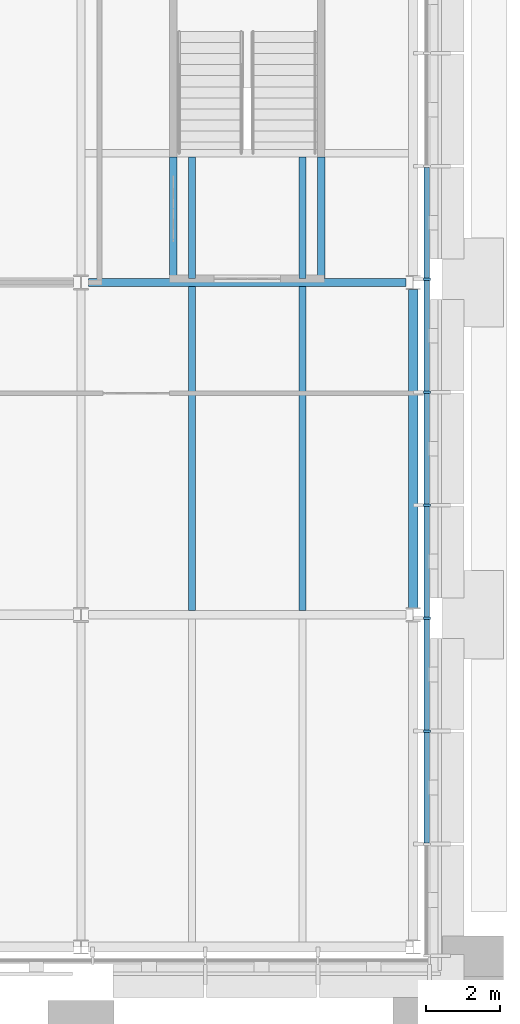
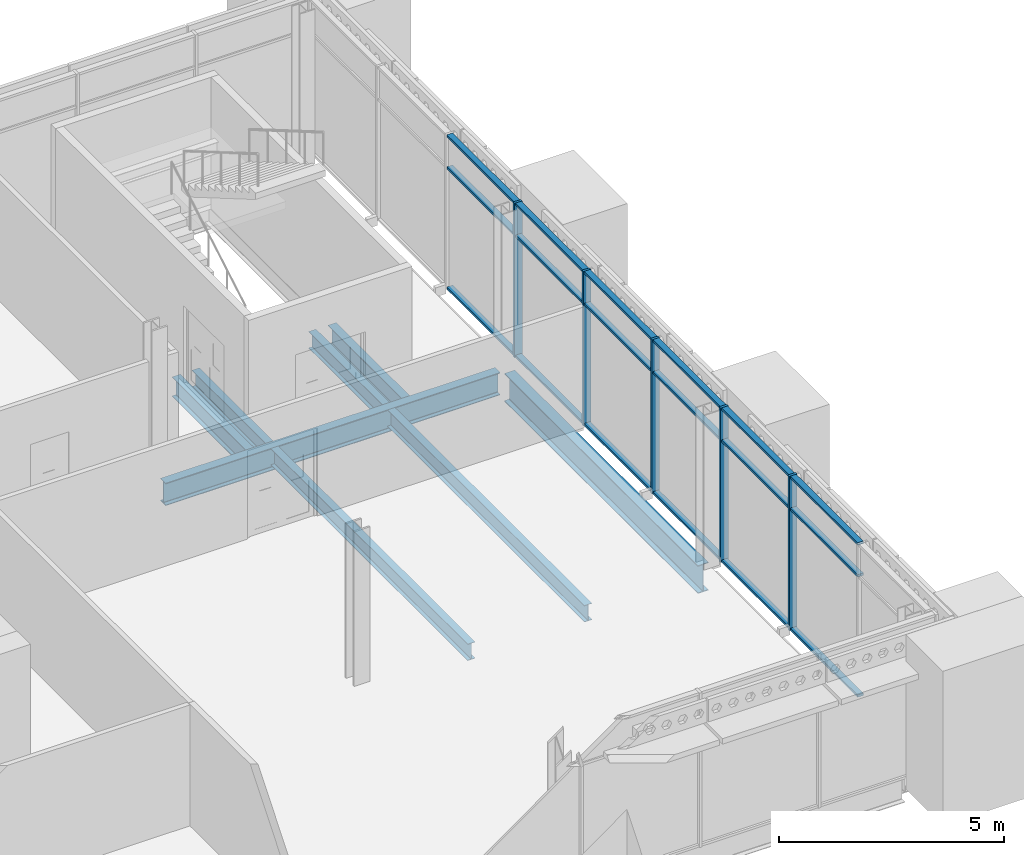
# One storey, part 37 of 153: 23 members, 8 beams, 1 element without a shape of its own.
"""IFC4 building model written with IfcOpenShell, lengths in metres."""

from ifc_helpers import new_model, si_unit, direction, frame, origin, origin_2d, place, context, subcontext, project, spatial, rectangle, i_section, extrude, material, material_profile, profile_set, type_object, element, aggregate, save


model = new_model("IFC4")

# Units and contexts
model_context = context("Model", 3, precision=1e-05, world=origin(), true_north=direction((0.0, 1.0)))
body_context = subcontext(model_context, "Body", "Model", "MODEL_VIEW")
ifc_project = project(units=[si_unit("LENGTHUNIT", "METRE"), si_unit("AREAUNIT", "SQUARE_METRE"), si_unit("VOLUMEUNIT", "CUBIC_METRE"), si_unit("PLANEANGLEUNIT", "RADIAN"), si_unit("MASSUNIT", "GRAM", prefix="KILO")], contexts=[model_context])

# Site, building, storey
site_placement = place(None, origin())
site = spatial("IfcSite", under=ifc_project, at=site_placement, CompositionType="ELEMENT")
building_placement = place(site_placement, origin())
building = spatial("IfcBuilding", under=site, at=building_placement, Name="Baradari Gate Terminus", CompositionType="ELEMENT")
storey_placement = place(building_placement, frame((0.0, 0.0, 11.699951171875)))
storey = spatial("IfcBuildingStorey", under=building, at=storey_placement, Name="L02", CompositionType="ELEMENT", Elevation=11.699951171875)

# Curtain wall, members
ifc_material_1 = material(Name="Aluminium 6063-T6", Category="aluminium")
curtain_wall_type = type_object("IfcCurtainWallType", Name="Curtain wall CW-1 block unitised, zone L02-L05", PredefinedType="NOTDEFINED", material=ifc_material_1)
curtain_wall_placement = place(storey_placement, origin())
curtain_wall = element("IfcCurtainWall", 1, at=curtain_wall_placement, inside=storey, type_object=curtain_wall_type, Name="Curtain wall CW-1 Operations block E face L02", PredefinedType="NOTDEFINED")
ifc_material_2 = material(Name="Aluminium 6063-T6", Category="aluminium")
ifc_material_profile_1 = material_profile(ifc_material_2, rectangle(XDim=0.199951171875, YDim=0.06494140625, at=origin_2d()), Name="CM-1 65X200")
ifc_profile_set_1 = profile_set([ifc_material_profile_1], Name="Aluminium 6063-T6")
member_type_1 = type_object("IfcMemberType", Name="Curtain wall mullion CM-1 65x200", PredefinedType="MULLION", material=ifc_profile_set_1)
member_1_placement = place(storey_placement, frame((63.3701171875, 122.85009765625, 0.0), z_axis=(0.0, 0.0, 1.0), x_axis=(-1.0, 0.0, 0.0)))
member_1 = element("IfcMember", 2, at=member_1_placement, type_object=member_type_1, Name="CW-1 mullion 3", PredefinedType="MULLION", context=body_context, shape_type="SweptSolid", body=[
    extrude(rectangle(XDim=0.199951171875, YDim=0.06494140625, at=origin_2d()), origin(), (0.0, 0.0, 1.0), 4.199951171875),
])
member_2_placement = place(storey_placement, frame((63.3701171875, 125.909912109375, 0.0), z_axis=(0.0, 0.0, 1.0), x_axis=(-1.0, 0.0, 0.0)))
member_2 = element("IfcMember", 3, at=member_2_placement, type_object=member_type_1, Name="CW-1 mullion 4", PredefinedType="MULLION", context=body_context, shape_type="SweptSolid", body=[
    extrude(rectangle(XDim=0.199951171875, YDim=0.06494140625, at=origin_2d()), origin(), (0.0, 0.0, 1.0), 4.199951171875),
])
member_3_placement = place(storey_placement, frame((63.3701171875, 128.969970703125, 0.0), z_axis=(0.0, 0.0, 1.0), x_axis=(-1.0, 0.0, 0.0)))
member_3 = element("IfcMember", 4, at=member_3_placement, type_object=member_type_1, Name="CW-1 mullion 5", PredefinedType="MULLION", context=body_context, shape_type="SweptSolid", body=[
    extrude(rectangle(XDim=0.199951171875, YDim=0.06494140625, at=origin_2d()), origin(), (0.0, 0.0, 1.0), 4.199951171875),
])
member_4_placement = place(storey_placement, frame((63.3701171875, 132.030029296875, 0.0), z_axis=(0.0, 0.0, 1.0), x_axis=(-1.0, 0.0, 0.0)))
member_4 = element("IfcMember", 5, at=member_4_placement, type_object=member_type_1, Name="CW-1 mullion 6", PredefinedType="MULLION", context=body_context, shape_type="SweptSolid", body=[
    extrude(rectangle(XDim=0.199951171875, YDim=0.06494140625, at=origin_2d()), origin(), (0.0, 0.0, 1.0), 4.199951171875),
])
member_5_placement = place(storey_placement, frame((63.3701171875, 135.090087890625, 0.0), z_axis=(0.0, 0.0, 1.0), x_axis=(-1.0, 0.0, 0.0)))
member_5 = element("IfcMember", 6, at=member_5_placement, type_object=member_type_1, Name="CW-1 mullion 7", PredefinedType="MULLION", context=body_context, shape_type="SweptSolid", body=[
    extrude(rectangle(XDim=0.199951171875, YDim=0.06494140625, at=origin_2d()), origin(), (0.0, 0.0, 1.0), 4.199951171875),
])
ifc_material_3 = material(Name="Aluminium 6063-T6", Category="aluminium")
ifc_material_profile_2 = material_profile(ifc_material_3, rectangle(XDim=0.14990234375, YDim=0.06494140625, at=origin_2d()), Name="CT-1 65X150")
ifc_profile_set_2 = profile_set([ifc_material_profile_2], Name="Aluminium 6063-T6")
member_type_2 = type_object("IfcMemberType", Name="Curtain wall transom CT-1 65x150", PredefinedType="USERDEFINED", material=ifc_profile_set_2)
member_6_placement = place(storey_placement, frame((63.3701171875, 119.822509765625, 0.032470703125), z_axis=(0.0, 1.0, 0.0), x_axis=(-1.0, 0.0, 0.0)))
member_6 = element("IfcMember", 7, at=member_6_placement, type_object=member_type_2, Name="CW-1 transom 2.1", ObjectType="TRANSOM", PredefinedType="USERDEFINED", context=body_context, shape_type="SweptSolid", body=[
    extrude(rectangle(XDim=0.14990234375, YDim=0.06494140625, at=origin_2d()), origin(), (0.0, 0.0, 1.0), 2.994873046875),
])
member_7_placement = place(storey_placement, frame((63.3701171875, 119.822509765625, 3.300048828125), z_axis=(0.0, 1.0, 0.0), x_axis=(-1.0, 0.0, 0.0)))
member_7 = element("IfcMember", 8, at=member_7_placement, type_object=member_type_2, Name="CW-1 transom 2.2", ObjectType="TRANSOM", PredefinedType="USERDEFINED", context=body_context, shape_type="SweptSolid", body=[
    extrude(rectangle(XDim=0.14990234375, YDim=0.06494140625, at=origin_2d()), origin(), (0.0, 0.0, 1.0), 2.994873046875),
])
member_8_placement = place(storey_placement, frame((63.3701171875, 119.822509765625, 4.16748046875), z_axis=(0.0, 1.0, 0.0), x_axis=(-1.0, 0.0, 0.0)))
member_8 = element("IfcMember", 9, at=member_8_placement, type_object=member_type_2, Name="CW-1 transom 2.3", ObjectType="TRANSOM", PredefinedType="USERDEFINED", context=body_context, shape_type="SweptSolid", body=[
    extrude(rectangle(XDim=0.14990234375, YDim=0.06494140625, at=origin_2d()), origin(), (0.0, 0.0, 1.0), 2.994873046875),
])
member_9_placement = place(storey_placement, frame((63.3701171875, 122.882568359375, 0.032470703125), z_axis=(0.0, 1.0, 0.0), x_axis=(-1.0, 0.0, 0.0)))
member_9 = element("IfcMember", 10, at=member_9_placement, type_object=member_type_2, Name="CW-1 transom 3.1", ObjectType="TRANSOM", PredefinedType="USERDEFINED", context=body_context, shape_type="SweptSolid", body=[
    extrude(rectangle(XDim=0.14990234375, YDim=0.06494140625, at=origin_2d()), origin(), (0.0, 0.0, 1.0), 2.994873046875),
])
member_10_placement = place(storey_placement, frame((63.3701171875, 122.882568359375, 3.300048828125), z_axis=(0.0, 1.0, 0.0), x_axis=(-1.0, 0.0, 0.0)))
member_10 = element("IfcMember", 11, at=member_10_placement, type_object=member_type_2, Name="CW-1 transom 3.2", ObjectType="TRANSOM", PredefinedType="USERDEFINED", context=body_context, shape_type="SweptSolid", body=[
    extrude(rectangle(XDim=0.14990234375, YDim=0.06494140625, at=origin_2d()), origin(), (0.0, 0.0, 1.0), 2.994873046875),
])
member_11_placement = place(storey_placement, frame((63.3701171875, 122.882568359375, 4.16748046875), z_axis=(0.0, 1.0, 0.0), x_axis=(-1.0, 0.0, 0.0)))
member_11 = element("IfcMember", 12, at=member_11_placement, type_object=member_type_2, Name="CW-1 transom 3.3", ObjectType="TRANSOM", PredefinedType="USERDEFINED", context=body_context, shape_type="SweptSolid", body=[
    extrude(rectangle(XDim=0.14990234375, YDim=0.06494140625, at=origin_2d()), origin(), (0.0, 0.0, 1.0), 2.994873046875),
])
member_12_placement = place(storey_placement, frame((63.3701171875, 125.9423828125, 0.032470703125), z_axis=(0.0, 1.0, 0.0), x_axis=(-1.0, 0.0, 0.0)))
member_12 = element("IfcMember", 13, at=member_12_placement, type_object=member_type_2, Name="CW-1 transom 4.1", ObjectType="TRANSOM", PredefinedType="USERDEFINED", context=body_context, shape_type="SweptSolid", body=[
    extrude(rectangle(XDim=0.14990234375, YDim=0.06494140625, at=origin_2d()), origin(), (0.0, 0.0, 1.0), 2.9951171875),
])
member_13_placement = place(storey_placement, frame((63.3701171875, 125.9423828125, 3.300048828125), z_axis=(0.0, 1.0, 0.0), x_axis=(-1.0, 0.0, 0.0)))
member_13 = element("IfcMember", 14, at=member_13_placement, type_object=member_type_2, Name="CW-1 transom 4.2", ObjectType="TRANSOM", PredefinedType="USERDEFINED", context=body_context, shape_type="SweptSolid", body=[
    extrude(rectangle(XDim=0.14990234375, YDim=0.06494140625, at=origin_2d()), origin(), (0.0, 0.0, 1.0), 2.9951171875),
])
member_14_placement = place(storey_placement, frame((63.3701171875, 125.9423828125, 4.16748046875), z_axis=(0.0, 1.0, 0.0), x_axis=(-1.0, 0.0, 0.0)))
member_14 = element("IfcMember", 15, at=member_14_placement, type_object=member_type_2, Name="CW-1 transom 4.3", ObjectType="TRANSOM", PredefinedType="USERDEFINED", context=body_context, shape_type="SweptSolid", body=[
    extrude(rectangle(XDim=0.14990234375, YDim=0.06494140625, at=origin_2d()), origin(), (0.0, 0.0, 1.0), 2.9951171875),
])
member_15_placement = place(storey_placement, frame((63.3701171875, 129.00244140625, 0.032470703125), z_axis=(0.0, 1.0, 0.0), x_axis=(-1.0, 0.0, 0.0)))
member_15 = element("IfcMember", 16, at=member_15_placement, type_object=member_type_2, Name="CW-1 transom 5.1", ObjectType="TRANSOM", PredefinedType="USERDEFINED", context=body_context, shape_type="SweptSolid", body=[
    extrude(rectangle(XDim=0.14990234375, YDim=0.06494140625, at=origin_2d()), origin(), (0.0, 0.0, 1.0), 2.9951171875),
])
member_16_placement = place(storey_placement, frame((63.3701171875, 129.00244140625, 3.300048828125), z_axis=(0.0, 1.0, 0.0), x_axis=(-1.0, 0.0, 0.0)))
member_16 = element("IfcMember", 17, at=member_16_placement, type_object=member_type_2, Name="CW-1 transom 5.2", ObjectType="TRANSOM", PredefinedType="USERDEFINED", context=body_context, shape_type="SweptSolid", body=[
    extrude(rectangle(XDim=0.14990234375, YDim=0.06494140625, at=origin_2d()), origin(), (0.0, 0.0, 1.0), 2.9951171875),
])
member_17_placement = place(storey_placement, frame((63.3701171875, 129.00244140625, 4.16748046875), z_axis=(0.0, 1.0, 0.0), x_axis=(-1.0, 0.0, 0.0)))
member_17 = element("IfcMember", 18, at=member_17_placement, type_object=member_type_2, Name="CW-1 transom 5.3", ObjectType="TRANSOM", PredefinedType="USERDEFINED", context=body_context, shape_type="SweptSolid", body=[
    extrude(rectangle(XDim=0.14990234375, YDim=0.06494140625, at=origin_2d()), origin(), (0.0, 0.0, 1.0), 2.9951171875),
])
member_18_placement = place(storey_placement, frame((63.3701171875, 132.0625, 0.032470703125), z_axis=(0.0, 1.0, 0.0), x_axis=(-1.0, 0.0, 0.0)))
member_18 = element("IfcMember", 19, at=member_18_placement, type_object=member_type_2, Name="CW-1 transom 6.1", ObjectType="TRANSOM", PredefinedType="USERDEFINED", context=body_context, shape_type="SweptSolid", body=[
    extrude(rectangle(XDim=0.14990234375, YDim=0.06494140625, at=origin_2d()), origin(), (0.0, 0.0, 1.0), 2.9951171875),
])
member_19_placement = place(storey_placement, frame((63.3701171875, 132.0625, 3.300048828125), z_axis=(0.0, 1.0, 0.0), x_axis=(-1.0, 0.0, 0.0)))
member_19 = element("IfcMember", 20, at=member_19_placement, type_object=member_type_2, Name="CW-1 transom 6.2", ObjectType="TRANSOM", PredefinedType="USERDEFINED", context=body_context, shape_type="SweptSolid", body=[
    extrude(rectangle(XDim=0.14990234375, YDim=0.06494140625, at=origin_2d()), origin(), (0.0, 0.0, 1.0), 2.9951171875),
])
member_20_placement = place(storey_placement, frame((63.3701171875, 132.0625, 4.16748046875), z_axis=(0.0, 1.0, 0.0), x_axis=(-1.0, 0.0, 0.0)))
member_20 = element("IfcMember", 21, at=member_20_placement, type_object=member_type_2, Name="CW-1 transom 6.3", ObjectType="TRANSOM", PredefinedType="USERDEFINED", context=body_context, shape_type="SweptSolid", body=[
    extrude(rectangle(XDim=0.14990234375, YDim=0.06494140625, at=origin_2d()), origin(), (0.0, 0.0, 1.0), 2.9951171875),
])
member_21_placement = place(storey_placement, frame((63.3701171875, 135.12255859375, 0.032470703125), z_axis=(0.0, 1.0, 0.0), x_axis=(-1.0, 0.0, 0.0)))
member_21 = element("IfcMember", 22, at=member_21_placement, type_object=member_type_2, Name="CW-1 transom 7.1", ObjectType="TRANSOM", PredefinedType="USERDEFINED", context=body_context, shape_type="SweptSolid", body=[
    extrude(rectangle(XDim=0.14990234375, YDim=0.06494140625, at=origin_2d()), origin(), (0.0, 0.0, 1.0), 2.994873046875),
])
member_22_placement = place(storey_placement, frame((63.3701171875, 135.12255859375, 3.300048828125), z_axis=(0.0, 1.0, 0.0), x_axis=(-1.0, 0.0, 0.0)))
member_22 = element("IfcMember", 23, at=member_22_placement, type_object=member_type_2, Name="CW-1 transom 7.2", ObjectType="TRANSOM", PredefinedType="USERDEFINED", context=body_context, shape_type="SweptSolid", body=[
    extrude(rectangle(XDim=0.14990234375, YDim=0.06494140625, at=origin_2d()), origin(), (0.0, 0.0, 1.0), 2.994873046875),
])
member_23_placement = place(storey_placement, frame((63.3701171875, 135.12255859375, 4.16748046875), z_axis=(0.0, 1.0, 0.0), x_axis=(-1.0, 0.0, 0.0)))
member_23 = element("IfcMember", 24, at=member_23_placement, type_object=member_type_2, Name="CW-1 transom 7.3", ObjectType="TRANSOM", PredefinedType="USERDEFINED", context=body_context, shape_type="SweptSolid", body=[
    extrude(rectangle(XDim=0.14990234375, YDim=0.06494140625, at=origin_2d()), origin(), (0.0, 0.0, 1.0), 2.994873046875),
])
aggregate(curtain_wall, [member_1, member_2, member_3, member_4, member_5, member_6, member_7, member_8, member_9, member_10, member_11, member_12, member_13, member_14, member_15, member_16, member_17, member_18, member_19, member_20, member_21, member_22, member_23])

# Beams
ifc_material_4 = material(Name="Steel S355", Category="steel")
ifc_material_profile_3 = material_profile(ifc_material_4, i_section(OverallWidth=0.22900390625, OverallDepth=0.6123046875, WebThickness=0.011962890625, FlangeThickness=0.01953125, FilletRadius=0.0126953125, at=origin_2d()), Name="UB 610x229x125")
ifc_profile_set_3 = profile_set([ifc_material_profile_3], Name="Steel S355")
beam_type_1 = type_object("IfcBeamType", Name="Operations block girder B25 UB 610x229x125", PredefinedType="BEAM", material=ifc_profile_set_3)
beam_1_placement = place(storey_placement, frame((54.201416015625, 135.0, -0.43603515625), z_axis=(1.0, 0.0, 0.0), x_axis=(0.0, 1.0, 0.0)))
element("IfcBeam", 25, at=beam_1_placement, inside=storey, type_object=beam_type_1, Name="Operations block girder B25 R:54.202-62.803 L02", PredefinedType="BEAM", context=body_context, shape_type="SweptSolid", body=[
    extrude(i_section(OverallWidth=0.22900390625, OverallDepth=0.6123046875, WebThickness=0.011962890625, FlangeThickness=0.01953125, FilletRadius=0.0126953125, at=origin_2d()), origin(), (0.0, 0.0, 1.0), 8.60107421875),
])
ifc_material_5 = material(Name="Steel S355", Category="steel")
ifc_material_profile_4 = material_profile(ifc_material_5, i_section(OverallWidth=0.2666015625, OverallDepth=0.76220703125, WebThickness=0.014404296875, FlangeThickness=0.021484375, FilletRadius=0.0166015625, at=origin_2d()), Name="UB 762x267x173")
ifc_profile_set_4 = profile_set([ifc_material_profile_4], Name="Steel S355")
beam_type_2 = type_object("IfcBeamType", Name="Operations block moment frame beam B24 UB 762x267x173", PredefinedType="BEAM", material=ifc_profile_set_4)
beam_2_placement = place(storey_placement, frame((63.0, 126.1904296875, -0.510986328125), z_axis=(0.0, 1.0, 0.0), x_axis=(-1.0, 0.0, 0.0)))
element("IfcBeam", 26, at=beam_2_placement, inside=storey, type_object=beam_type_2, Name="Operations block moment frame beam B24 8:126.191-134.81 L02", PredefinedType="BEAM", context=body_context, shape_type="SweptSolid", body=[
    extrude(i_section(OverallWidth=0.2666015625, OverallDepth=0.76220703125, WebThickness=0.014404296875, FlangeThickness=0.021484375, FilletRadius=0.0166015625, at=origin_2d()), origin(), (0.0, 0.0, 1.0), 8.619140625),
])
ifc_material_6 = material(Name="Steel S355", Category="steel")
ifc_material_profile_5 = material_profile(ifc_material_6, i_section(OverallWidth=0.18994140625, OverallDepth=0.453369140625, WebThickness=0.008544921875, FlangeThickness=0.0126953125, FilletRadius=0.01025390625, at=origin_2d()), Name="UB 457x191x67")
ifc_profile_set_5 = profile_set([ifc_material_profile_5], Name="Steel S355")
beam_type_3 = type_object("IfcBeamType", Name="Operations block secondary beam B28 UB 457x191x67", PredefinedType="BEAM", material=ifc_profile_set_5)
beam_3_placement = place(storey_placement, frame((57.0, 126.114501953125, -0.356689453125), z_axis=(0.0, 1.0, 0.0), x_axis=(-1.0, 0.0, 0.0)))
element("IfcBeam", 27, at=beam_3_placement, inside=storey, type_object=beam_type_3, Name="Operations block secondary beam B28 57:126.115-134.886 L02", PredefinedType="BEAM", context=body_context, shape_type="SweptSolid", body=[
    extrude(i_section(OverallWidth=0.18994140625, OverallDepth=0.453369140625, WebThickness=0.008544921875, FlangeThickness=0.0126953125, FilletRadius=0.01025390625, at=origin_2d()), origin(), (0.0, 0.0, 1.0), 8.77099609375),
])
beam_4_placement = place(storey_placement, frame((57.0, 135.114501953125, -0.356689453125), z_axis=(0.0, 1.0, 0.0), x_axis=(-1.0, 0.0, 0.0)))
element("IfcBeam", 28, at=beam_4_placement, inside=storey, type_object=beam_type_3, Name="Operations block secondary beam B28 57:135.114-138.395 L02", PredefinedType="BEAM", context=body_context, shape_type="SweptSolid", body=[
    extrude(i_section(OverallWidth=0.18994140625, OverallDepth=0.453369140625, WebThickness=0.008544921875, FlangeThickness=0.0126953125, FilletRadius=0.01025390625, at=origin_2d()), origin(), (0.0, 0.0, 1.0), 3.281005859375),
])
beam_5_placement = place(storey_placement, frame((60.0, 126.114501953125, -0.356689453125), z_axis=(0.0, 1.0, 0.0), x_axis=(-1.0, 0.0, 0.0)))
element("IfcBeam", 29, at=beam_5_placement, inside=storey, type_object=beam_type_3, Name="Operations block secondary beam B28 60:126.115-134.886 L02", PredefinedType="BEAM", context=body_context, shape_type="SweptSolid", body=[
    extrude(i_section(OverallWidth=0.18994140625, OverallDepth=0.453369140625, WebThickness=0.008544921875, FlangeThickness=0.0126953125, FilletRadius=0.01025390625, at=origin_2d()), origin(), (0.0, 0.0, 1.0), 8.77099609375),
])
beam_6_placement = place(storey_placement, frame((60.0, 135.114501953125, -0.356689453125), z_axis=(0.0, 1.0, 0.0), x_axis=(-1.0, 0.0, 0.0)))
element("IfcBeam", 30, at=beam_6_placement, inside=storey, type_object=beam_type_3, Name="Operations block secondary beam B28 60:135.114-138.395 L02", PredefinedType="BEAM", context=body_context, shape_type="SweptSolid", body=[
    extrude(i_section(OverallWidth=0.18994140625, OverallDepth=0.453369140625, WebThickness=0.008544921875, FlangeThickness=0.0126953125, FilletRadius=0.01025390625, at=origin_2d()), origin(), (0.0, 0.0, 1.0), 3.281005859375),
])
ifc_material_7 = material(Name="Steel S355", Category="steel")
ifc_material_profile_6 = material_profile(ifc_material_7, i_section(OverallWidth=0.209228515625, OverallDepth=0.533203125, WebThickness=0.010009765625, FlangeThickness=0.015625, FilletRadius=0.0126953125, at=origin_2d()), Name="UB 533x210x92")
ifc_profile_set_6 = profile_set([ifc_material_profile_6], Name="Steel S355")
beam_type_4 = type_object("IfcBeamType", Name="Operations block trimmer beam B27 UB 533x210x92", PredefinedType="BEAM", material=ifc_profile_set_6)
for number, where, z_axis, x_axis, name in (
    (31, (56.4951171875, 135.114501953125, -0.396484375), (0.0, 1.0, 0.0), (-1.0, 0.0, 0.0), "Operations block trimmer beam B27 56.495:135.114-138.395 L02"),
    (32, (60.5048828125, 135.114501953125, -0.396484375), (0.0, 1.0, 0.0), (-1.0, 0.0, 0.0), "Operations block trimmer beam B27 60.505:135.114-138.395 L02"),
):
    element("IfcBeam", number, at=place(storey_placement, frame(where, z_axis=z_axis, x_axis=x_axis)), inside=storey, type_object=beam_type_4, Name=name, PredefinedType="BEAM", context=body_context, shape_type="SweptSolid", body=[
        extrude(i_section(OverallWidth=0.209228515625, OverallDepth=0.533203125, WebThickness=0.010009765625, FlangeThickness=0.015625, FilletRadius=0.0126953125, at=origin_2d()), origin(), (0.0, 0.0, 1.0), 3.281005859375),
    ])

save(model, "model.ifc")
